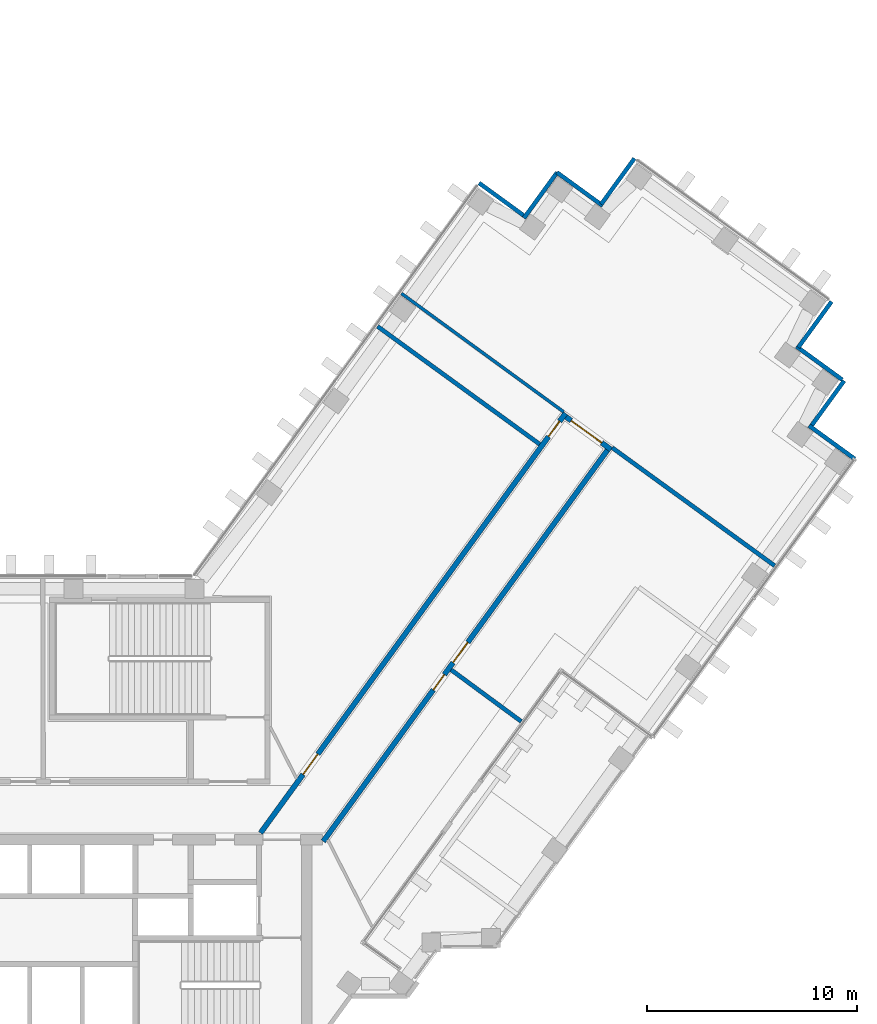
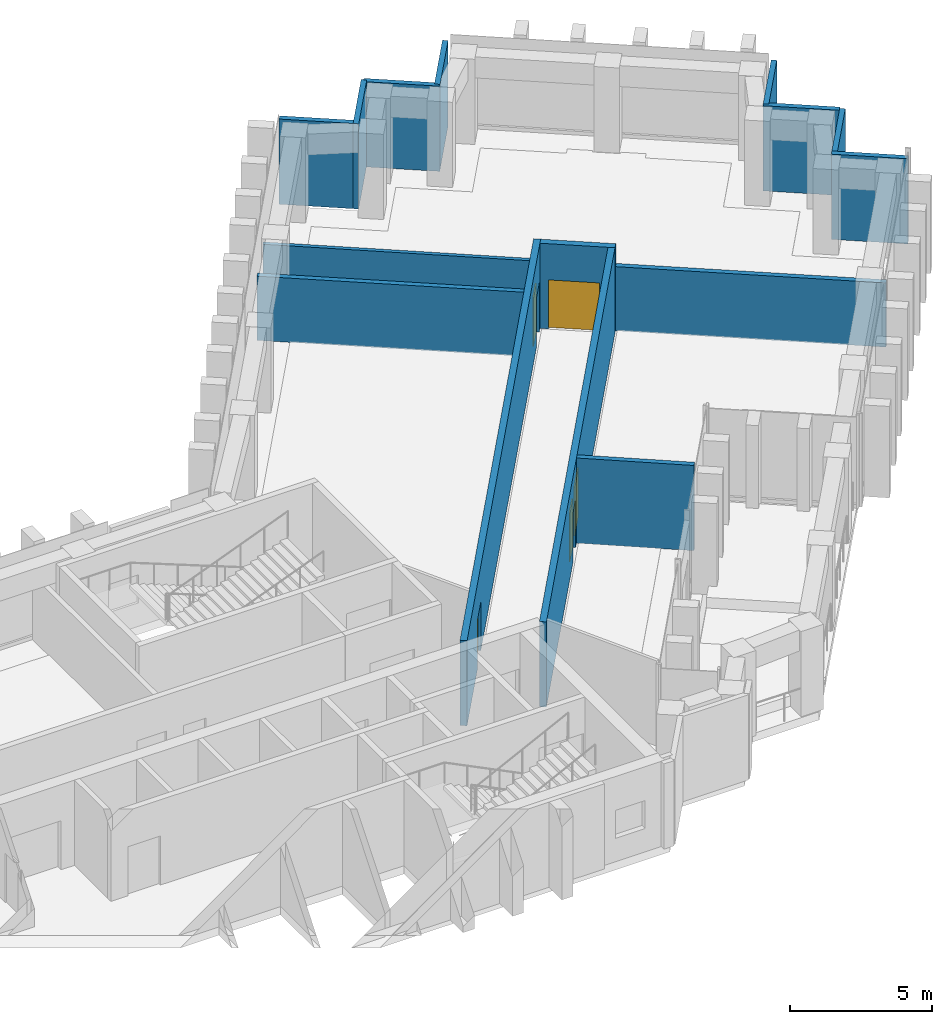
# One storey, part 10 of 14: 15 walls, 5 doors, 5 openings.
"""IFC4 building model written with IfcOpenShell, lengths in metres."""

from ifc_helpers import new_model, si_unit, direction, frame, frame_2d, origin, place, context, subcontext, project, spatial, rectangle, extrude, material, layer, layer_set, type_object, element, fill, save


model = new_model("IFC4")

# Units and contexts
model_context = context("Model", 3, precision=1e-05, world=origin(), true_north=direction((0.0, 1.0)))
body_context = subcontext(model_context, "Body", "Model", "MODEL_VIEW")
ifc_project = project(units=[si_unit("LENGTHUNIT", "METRE"), si_unit("AREAUNIT", "SQUARE_METRE"), si_unit("VOLUMEUNIT", "CUBIC_METRE"), si_unit("PLANEANGLEUNIT", "RADIAN"), si_unit("MASSUNIT", "GRAM", prefix="KILO")], contexts=[model_context])

# Site, building, storey
site_placement = place(None, origin())
site = spatial("IfcSite", under=ifc_project, at=site_placement, CompositionType="ELEMENT")
building_placement = place(site_placement, origin())
building = spatial("IfcBuilding", under=site, at=building_placement, Name="Quipu Civic Tower", CompositionType="ELEMENT")
storey_placement = place(building_placement, frame((0.0, 0.0, 105.0)))
storey = spatial("IfcBuildingStorey", under=building, at=storey_placement, Name="L24", CompositionType="ELEMENT", Elevation=105.0)

# Walls
ifc_material_1 = material(Name="Double gypsum plasterboard with mineral wool")
ifc_layer_1 = layer(ifc_material_1, 0.14990234375)
ifc_layer_set_1 = layer_set([ifc_layer_1], Name="Double gypsum plasterboard with mineral wool")
wall_type_1 = type_object("IfcWallType", Name="Acoustic partition 150 plasterboard", PredefinedType="PARTITIONING", material=ifc_layer_set_1)
wall_1_placement = place(storey_placement, frame((24.25146484375, 24.56591796875, 0.0), z_axis=(0.0, 0.0, 1.0), x_axis=(0.807588329082, -0.589746632657, 0.0)))
element("IfcWall", 1, at=wall_1_placement, inside=storey, type_object=wall_type_1, Name="Partition P12", PredefinedType="PARTITIONING", context=body_context, shape_type="SweptSolid", body=[
    extrude(rectangle(XDim=9.56982421875, YDim=0.14990234375, at=frame_2d((4.784912109375, 0.0))), origin(), (0.0, 0.0, 1.0), 2.75),
])
ifc_material_2 = material(Name="Fired clay blockwork", Category="masonry")
ifc_layer_2 = layer(ifc_material_2, 0.199951171875)
ifc_layer_set_2 = layer_set([ifc_layer_2], Name="Fired clay blockwork")
wall_type_2 = type_object("IfcWallType", Name="Blockwork wall 200", PredefinedType="SOLIDWALL", material=ifc_layer_set_2)
wall_2_placement = place(storey_placement, frame((30.838134765625, 17.384765625, 0.0), z_axis=(0.0, 0.0, 1.0), x_axis=(-0.809043311713, 0.587749027879, 0.0)))
element("IfcWall", 2, at=wall_2_placement, inside=storey, type_object=wall_type_2, Name="Partition P01", PredefinedType="SOLIDWALL", context=body_context, shape_type="SweptSolid", body=[
    extrude(rectangle(XDim=9.549560546875, YDim=0.199951171875, at=frame_2d((4.77490234375, 0.0))), origin(), (0.0, 0.0, 1.0), 2.75),
])
wall_3_placement = place(storey_placement, frame((42.024169921875, 11.59912109375, 0.0), z_axis=(0.0, 0.0, 1.0), x_axis=(-0.80898585166, 0.587828114175, 0.0)))
element("IfcWall", 3, at=wall_3_placement, inside=storey, type_object=wall_type_2, Name="Partition P02", PredefinedType="SOLIDWALL", context=body_context, shape_type="SweptSolid", body=[
    extrude(rectangle(XDim=9.550048828125, YDim=0.199951171875, at=frame_2d((4.77490234375, 0.0))), origin(), (0.0, 0.0, 1.0), 2.75),
])
wall_4_placement = place(storey_placement, frame((26.618896484375, 6.643310546875, 0.0), z_axis=(0.0, 0.0, 1.0), x_axis=(0.805298264495, -0.592869888931, 0.0)))
element("IfcWall", 4, at=wall_4_placement, inside=storey, type_object=wall_type_2, Name="Partition P03", PredefinedType="SOLIDWALL", context=body_context, shape_type="SweptSolid", body=[
    extrude(rectangle(XDim=4.150146484375, YDim=0.199951171875, at=frame_2d((2.0751953125, 0.0))), origin(), (0.0, 0.0, 1.0), 3.64990234375),
])

# Wall, openings, doors
ifc_material_3 = material(Name="Concrete C50/60", Category="concrete")
ifc_layer_3 = layer(ifc_material_3, 0.25)
ifc_layer_set_3 = layer_set([ifc_layer_3], Name="Concrete C50/60")
wall_type_3 = type_object("IfcWallType", Name="Corridor wall 250 concrete", PredefinedType="SOLIDWALL", material=ifc_layer_set_3)
wall_5_placement = place(storey_placement, frame((17.544921875, -1.124755859375, 0.0), z_axis=(0.0, 0.0, 1.0), x_axis=(0.587791430994, 0.80901250525, 0.0)))
wall_5 = element("IfcWall", 5, at=wall_5_placement, inside=storey, type_object=wall_type_3, Name="Corridor wall C06", PredefinedType="SOLIDWALL", context=body_context, shape_type="SweptSolid", body=[
    extrude(rectangle(XDim=24.703125, YDim=0.25, at=frame_2d((12.3515625, 0.0))), origin(), (0.0, 0.0, 1.0), 3.64990234375),
])
opening_1_placement = place(wall_5_placement, frame((3.4423828125, 0.0, 0.0)))
opening_1 = element("IfcOpeningElement", 6, at=opening_1_placement, cuts=wall_5, Name="Opening D001", PredefinedType="OPENING", context=body_context, shape_type="SweptSolid", body=[
    extrude(rectangle(XDim=1.199951171875, YDim=2.10009765625, at=frame_2d((0.60009765625, 1.050048828125))), frame((0.0, 0.135009765625, 0.0), z_axis=(0.0, -1.0, 0.0), x_axis=(1.0, 0.0, 0.0)), (0.0, 0.0, 1.0), 0.27001953125),
])
opening_2_placement = place(wall_5_placement, frame((23.328857421875, 0.0, 0.0)))
opening_2 = element("IfcOpeningElement", 7, at=opening_2_placement, cuts=wall_5, Name="Opening D002", PredefinedType="OPENING", context=body_context, shape_type="SweptSolid", body=[
    extrude(rectangle(XDim=0.89990234375, YDim=2.10009765625, at=frame_2d((0.449951171875, 1.050048828125))), frame((0.0, 0.135009765625, 0.0), z_axis=(0.0, -1.0, 0.0), x_axis=(1.0, 0.0, 0.0)), (0.0, 0.0, 1.0), 0.27001953125),
])
ifc_material_4 = material(Name="Fire rated timber door set with metal frame", Category="wood")
door_type_1 = type_object("IfcDoorType", Name="Single door 1200 x 2100 FD60", OperationType="NOTDEFINED", PredefinedType="DOOR", material=ifc_material_4)
door_1_placement = place(opening_1_placement, origin())
door_1 = element("IfcDoor", 8, at=door_1_placement, inside=storey, type_object=door_type_1, Name="Door D001", OperationType="SINGLE_SWING_LEFT", OverallHeight=2.10009765625, OverallWidth=1.199951171875, PredefinedType="DOOR", context=body_context, shape_type="SweptSolid", body=[
    extrude(rectangle(XDim=1.199951171875, YDim=2.10009765625, at=frame_2d((0.60009765625, 1.050048828125))), frame((0.0, 0.02490234375, 0.0), z_axis=(0.0, -1.0, 0.0), x_axis=(1.0, 0.0, 0.0)), (0.0, 0.0, 1.0), 0.050048828125),
])
fill(opening_1, door_1)
ifc_material_5 = material(Name="Fire rated timber door set with metal frame", Category="wood")
door_type_2 = type_object("IfcDoorType", Name="Single door 900 x 2100 FD60", OperationType="NOTDEFINED", PredefinedType="DOOR", material=ifc_material_5)
door_2_placement = place(opening_2_placement, origin())
door_2 = element("IfcDoor", 9, at=door_2_placement, inside=storey, type_object=door_type_2, Name="Door D002", OperationType="SINGLE_SWING_RIGHT", OverallHeight=2.10009765625, OverallWidth=0.89990234375, PredefinedType="DOOR", context=body_context, shape_type="SweptSolid", body=[
    extrude(rectangle(XDim=0.89990234375, YDim=2.10009765625, at=frame_2d((0.449951171875, 1.050048828125))), frame((0.0, 0.02490234375, 0.0), z_axis=(0.0, -1.0, 0.0), x_axis=(1.0, 0.0, 0.0)), (0.0, 0.0, 1.0), 0.050048828125),
])
fill(opening_2, door_2)

# Wall, opening, door
wall_6_placement = place(storey_placement, frame((32.0927734375, 18.685791015625, 0.0), z_axis=(0.0, 0.0, 1.0), x_axis=(0.809006914995, -0.587799125119, 0.0)))
wall_6 = element("IfcWall", 10, at=wall_6_placement, inside=storey, type_object=wall_type_3, Name="Corridor wall C07", PredefinedType="SOLIDWALL", context=body_context, shape_type="SweptSolid", body=[
    extrude(rectangle(XDim=2.64990234375, YDim=0.25, at=frame_2d((1.324951171875, 0.0))), origin(), (0.0, 0.0, 1.0), 3.64990234375),
])
opening_3_placement = place(wall_6_placement, frame((0.2998046875, 0.0, 0.0)))
opening_3 = element("IfcOpeningElement", 11, at=opening_3_placement, cuts=wall_6, Name="Opening D005", PredefinedType="OPENING", context=body_context, shape_type="SweptSolid", body=[
    extrude(rectangle(XDim=1.800048828125, YDim=2.10009765625, at=frame_2d((0.89990234375, 1.050048828125))), frame((0.0, 0.135009765625, 0.0), z_axis=(0.0, -1.0, 0.0), x_axis=(1.0, 0.0, 0.0)), (0.0, 0.0, 1.0), 0.27001953125),
])
ifc_material_6 = material(Name="Fire rated timber door set with metal frame", Category="wood")
door_type_3 = type_object("IfcDoorType", Name="Double door 1800 x 2100 FD60", OperationType="DOUBLE_DOOR_SINGLE_SWING", PredefinedType="DOOR", material=ifc_material_6)
door_3_placement = place(opening_3_placement, origin())
door_3 = element("IfcDoor", 12, at=door_3_placement, inside=storey, type_object=door_type_3, Name="Door D005", OperationType="DOUBLE_DOOR_SINGLE_SWING", OverallHeight=2.10009765625, OverallWidth=1.800048828125, PredefinedType="DOOR", context=body_context, shape_type="SweptSolid", body=[
    extrude(rectangle(XDim=1.800048828125, YDim=2.10009765625, at=frame_2d((0.89990234375, 1.050048828125))), frame((0.0, 0.02490234375, 0.0), z_axis=(0.0, -1.0, 0.0), x_axis=(1.0, 0.0, 0.0)), (0.0, 0.0, 1.0), 0.050048828125),
])
fill(opening_3, door_3)

# Wall, openings, doors
wall_7_placement = place(storey_placement, frame((34.06201171875, 17.1005859375, 0.0), z_axis=(0.0, 0.0, 1.0), x_axis=(-0.58778129431, -0.809019870003, 0.0)))
wall_7 = element("IfcWall", 13, at=wall_7_placement, inside=storey, type_object=wall_type_3, Name="Corridor wall C08", PredefinedType="SOLIDWALL", context=body_context, shape_type="SweptSolid", body=[
    extrude(rectangle(XDim=23.0205078125, YDim=0.25, at=frame_2d((11.51025390625, 0.0))), origin(), (0.0, 0.0, 1.0), 3.64990234375),
])
opening_4_placement = place(wall_7_placement, frame((11.304443359375, 0.0, 0.0)))
opening_4 = element("IfcOpeningElement", 14, at=opening_4_placement, cuts=wall_7, Name="Opening D004", PredefinedType="OPENING", context=body_context, shape_type="SweptSolid", body=[
    extrude(rectangle(XDim=1.199951171875, YDim=2.10009765625, at=frame_2d((0.60009765625, 1.050048828125))), frame((0.0, 0.135009765625, 0.0), z_axis=(0.0, -1.0, 0.0), x_axis=(1.0, 0.0, 0.0)), (0.0, 0.0, 1.0), 0.27001953125),
])
opening_5_placement = place(wall_7_placement, frame((13.204833984375, 0.0, 0.0)))
opening_5 = element("IfcOpeningElement", 15, at=opening_5_placement, cuts=wall_7, Name="Opening D003", PredefinedType="OPENING", context=body_context, shape_type="SweptSolid", body=[
    extrude(rectangle(XDim=0.89990234375, YDim=2.10009765625, at=frame_2d((0.449951171875, 1.050048828125))), frame((0.0, 0.135009765625, 0.0), z_axis=(0.0, -1.0, 0.0), x_axis=(1.0, 0.0, 0.0)), (0.0, 0.0, 1.0), 0.27001953125),
])
door_4_placement = place(opening_4_placement, origin())
door_4 = element("IfcDoor", 16, at=door_4_placement, inside=storey, type_object=door_type_1, Name="Door D004", OperationType="SINGLE_SWING_RIGHT", OverallHeight=2.10009765625, OverallWidth=1.199951171875, PredefinedType="DOOR", context=body_context, shape_type="SweptSolid", body=[
    extrude(rectangle(XDim=1.199951171875, YDim=2.10009765625, at=frame_2d((0.60009765625, 1.050048828125))), frame((0.0, 0.02490234375, 0.0), z_axis=(0.0, -1.0, 0.0), x_axis=(1.0, 0.0, 0.0)), (0.0, 0.0, 1.0), 0.050048828125),
])
fill(opening_4, door_4)
door_5_placement = place(opening_5_placement, origin())
door_5 = element("IfcDoor", 17, at=door_5_placement, inside=storey, type_object=door_type_2, Name="Door D003", OperationType="SINGLE_SWING_LEFT", OverallHeight=2.10009765625, OverallWidth=0.89990234375, PredefinedType="DOOR", context=body_context, shape_type="SweptSolid", body=[
    extrude(rectangle(XDim=0.89990234375, YDim=2.10009765625, at=frame_2d((0.449951171875, 1.050048828125))), frame((0.0, 0.02490234375, 0.0), z_axis=(0.0, -1.0, 0.0), x_axis=(1.0, 0.0, 0.0)), (0.0, 0.0, 1.0), 0.050048828125),
])
fill(opening_5, door_5)

# Walls
ifc_material_7 = material(Name="Precast concrete C40/50", Category="concrete")
wall_type_4 = type_object("IfcWallType", Name="Precast cladding wall", PredefinedType="SOLIDWALL", material=ifc_material_7)
for number, where, z_axis, x_axis, name in (
    (18, (43.148681640625, 21.993896484375, 0.0), (0.0, 0.0, 1.0), (0.587822180636, 0.808990163075, 0.0), "Precast cladding wall L24 P22"),
    (19, (35.351318359375, 30.99658203125, 0.0), (0.0, 0.0, 1.0), (-0.587822180636, -0.808990163075, 0.0), "Precast cladding wall L24 P24"),
    (20, (33.837890625, 28.743896484375, 0.0), (0.0, 0.0, 1.0), (-0.809033161865, 0.587762999008, 0.0), "Precast cladding wall L24 P25"),
    (21, (31.67041015625, 30.33349609375, 0.0), (0.0, 0.0, 1.0), (-0.587762999008, -0.809033161865, 0.0), "Precast cladding wall L24 P26"),
    (22, (30.132568359375, 28.237060546875, 0.0), (0.0, 0.0, 1.0), (-0.808990163075, 0.587822180636, 0.0), "Precast cladding wall L24 P27"),
    (23, (45.84228515625, 16.6845703125, 0.0), (0.0, 0.0, 1.0), (-0.808958916286, 0.58786518162, 0.0), "Precast cladding wall L24 8"),
    (24, (43.74609375, 18.22265625, 0.0), (0.0, 0.0, 1.0), (0.587762999008, 0.809033161865, 0.0), "Precast cladding wall L24 9"),
    (25, (45.2451171875, 20.4560546875, 0.0), (0.0, 0.0, 1.0), (-0.809033161865, 0.587762999008, 0.0), "Precast cladding wall L24 10"),
):
    element("IfcWall", number, at=place(storey_placement, frame(where, z_axis=z_axis, x_axis=x_axis)), inside=storey, type_object=wall_type_4, Name=name, PredefinedType="SOLIDWALL", context=body_context, shape_type="SweptSolid", body=[
        extrude(rectangle(XDim=2.699951171875, YDim=0.199951171875, at=frame_2d((1.35009765625, 0.0))), origin(), (0.0, 0.0, 1.0), 3.64990234375),
    ])

save(model, "model.ifc")
